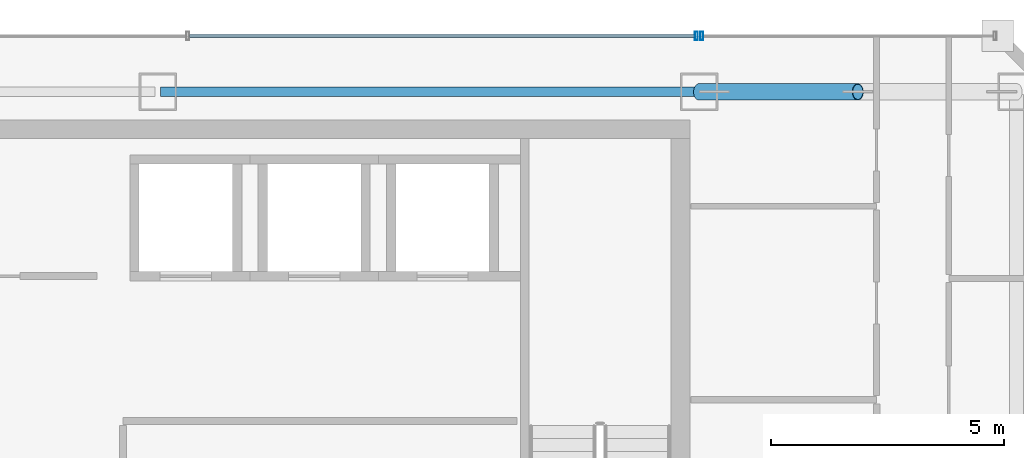
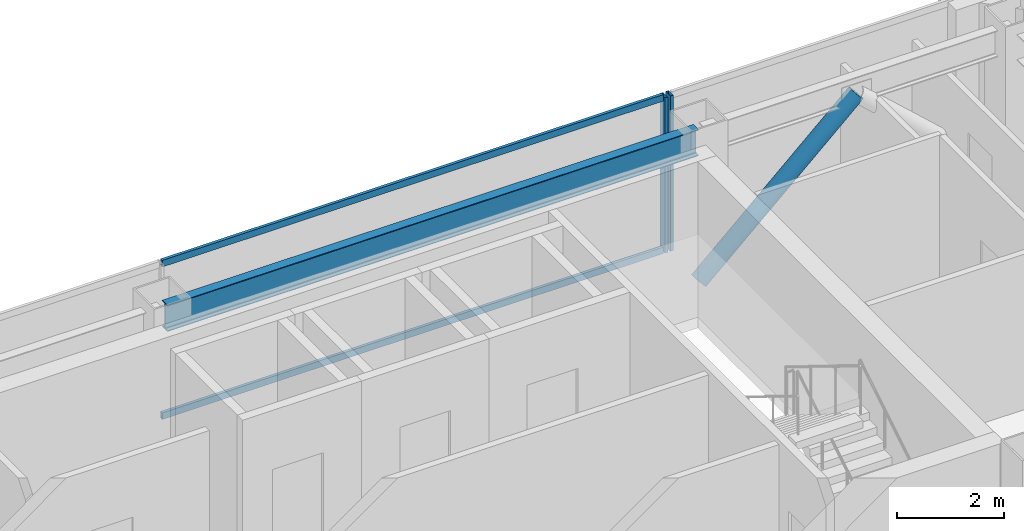
# One storey, part 22 of 32: 5 members, 1 beam, 2 elements without a shape of their own.
"""IFC4 building model written with IfcOpenShell, lengths in metres."""

import ifcopenshell
import ifcopenshell.guid

model = None  # the IFC model being written
_history = None  # IfcOwnerHistory: only IFC2X3 demands one
_inside = {}  # id of a spatial element -> (the spatial element, [elements in it])
_under = {}  # id of a project, library or spatial element -> (it, [spatial elements below it])
_declared = {}  # id of a project -> (the project, [libraries it declares])
_typed = {}  # id of a type object -> (the type object, [elements of that type])
_made_of = {}  # id of a material, layer set ... -> (it, [elements and type objects made of it])


def new_model(schema):
    """Start an empty IFC model of exactly this schema.

    Asked for "IFC4X3", IfcOpenShell would pick the latest addendum, in which some entities
    have other attributes; the version numbers below select the first issue.
    IFC2X3 requires an IfcOwnerHistory on every rooted entity: one is made here for all.
    """
    global model, _history
    if schema == "IFC4X3":
        model = ifcopenshell.file(schema_version=(4, 3, 0, 0))
    else:
        model = ifcopenshell.file(schema=schema)
    _inside.clear()
    _under.clear()
    _declared.clear()
    _typed.clear()
    _made_of.clear()
    _history = None
    if model.schema == "IFC2X3":
        org = make("IfcOrganization", Name="unknown")
        user = make(
            "IfcPersonAndOrganization",
            ThePerson=make("IfcPerson", FamilyName="unknown"),
            TheOrganization=org,
        )
        app = make(
            "IfcApplication",
            ApplicationDeveloper=org,
            Version="unknown",
            ApplicationFullName="unknown",
            ApplicationIdentifier="unknown",
        )
        _history = make(
            "IfcOwnerHistory",
            OwningUser=user,
            OwningApplication=app,
            ChangeAction="ADDED",
            CreationDate=0,
        )
    return model


def make(cls, **values):
    """One entity of the class cls with the attributes given. An attribute that is None is left unset."""
    return model.create_entity(
        cls, **{name: value for name, value in values.items() if value is not None}
    )


def rooted(cls, **values):
    """An entity with a GlobalId (a new one), such as an element, a storey or a relation."""
    return make(cls, GlobalId=ifcopenshell.guid.new(), OwnerHistory=_history, **values)


def si_unit(unit_type, name, prefix=None):
    """IfcSIUnit, for example si_unit("LENGTHUNIT", "METRE", prefix="MILLI")."""
    return make("IfcSIUnit", UnitType=unit_type, Prefix=prefix, Name=name)


def assignment(units):
    """IfcUnitAssignment: the units of a project."""
    return None if units is None else make("IfcUnitAssignment", Units=units)


def point(xyz):
    """IfcCartesianPoint."""
    return None if xyz is None else make("IfcCartesianPoint", Coordinates=xyz)


def direction(xyz):
    """IfcDirection."""
    return None if xyz is None else make("IfcDirection", DirectionRatios=xyz)


def frame(location, z_axis=None, x_axis=None):
    """IfcAxis2Placement3D, a coordinate frame: its origin and axes. An axis left out is left unset."""
    return make(
        "IfcAxis2Placement3D",
        Location=point(location),
        Axis=direction(z_axis),
        RefDirection=direction(x_axis),
    )


def frame_2d(location, x_axis=None):
    """IfcAxis2Placement2D, a coordinate frame in the plane: its origin and x axis."""
    return make(
        "IfcAxis2Placement2D", Location=point(location), RefDirection=direction(x_axis)
    )


def origin():
    """The frame at (0, 0, 0) with its axes left unset."""
    return frame((0.0, 0.0, 0.0))


def origin_2d():
    """The frame at (0, 0) in the plane with its x axis left unset."""
    return frame_2d((0.0, 0.0))


def place(relative_to, where):
    """IfcLocalPlacement: puts the frame where relative to a parent placement (None: the world)."""
    return make(
        "IfcLocalPlacement", PlacementRelTo=relative_to, RelativePlacement=where
    )


def context(
    kind, dimensions, precision=None, world=None, true_north=None, identifier=None
):
    """IfcGeometricRepresentationContext, for example the 3D "Model" context."""
    return make(
        "IfcGeometricRepresentationContext",
        ContextIdentifier=identifier,
        ContextType=kind,
        CoordinateSpaceDimension=dimensions,
        Precision=precision,
        WorldCoordinateSystem=world,
        TrueNorth=true_north,
    )


def subcontext(parent, identifier, kind, view, scale=None):
    """IfcGeometricRepresentationSubContext, for example "Body" below "Model"."""
    return make(
        "IfcGeometricRepresentationSubContext",
        ContextIdentifier=identifier,
        ContextType=kind,
        ParentContext=parent,
        TargetScale=scale,
        TargetView=view,
    )


def project(units=None, contexts=None):
    """IfcProject with its units and contexts."""
    return rooted(
        "IfcProject",
        Name="project",
        RepresentationContexts=contexts,
        UnitsInContext=assignment(units),
    )


def spatial(cls, under=None, at=None, **own):
    """A site, building, storey or space (cls), placed at a placement, below another one or the project."""
    s = rooted(cls, ObjectPlacement=at, **own)
    if under is not None:
        _under.setdefault(under.id(), (under, []))[1].append(s)
    return s


def profile(cls, at=None, kind="AREA", **sizes):
    """A parametric profile (cls). Its sizes go by their IFC names, for example OverallWidth=200.0."""
    return make(cls, ProfileType=kind, Position=at, **sizes)


def hollow_rectangle(**sizes):
    """IfcRectangleHollowProfileDef."""
    return profile("IfcRectangleHollowProfileDef", **sizes)


def hollow_circle(**sizes):
    """IfcCircleHollowProfileDef."""
    return profile("IfcCircleHollowProfileDef", **sizes)


def i_section(**sizes):
    """IfcIShapeProfileDef."""
    return profile("IfcIShapeProfileDef", **sizes)


def extrude(swept, where, along, depth):
    """IfcExtrudedAreaSolid: the profile swept, set in the frame where, extruded along a direction by depth."""
    return make(
        "IfcExtrudedAreaSolid",
        SweptArea=swept,
        Position=where,
        ExtrudedDirection=direction(along),
        Depth=depth,
    )


def shape(context_of_items, identifier, shape_type, items):
    """IfcShapeRepresentation: the items that make up one representation, for example the "Body"."""
    return make(
        "IfcShapeRepresentation",
        ContextOfItems=context_of_items,
        RepresentationIdentifier=identifier,
        RepresentationType=shape_type,
        Items=items,
    )


def material(Name=None, Category=None):
    """IfcMaterial."""
    return make("IfcMaterial", Name=Name, Category=Category)


def material_profile(
    of_material, cross_section, Name=None, Category=None, Priority=None
):
    """IfcMaterialProfile: a cross section and its material."""
    return make(
        "IfcMaterialProfile",
        Name=Name,
        Material=of_material,
        Profile=cross_section,
        Priority=Priority,
        Category=Category,
    )


def profile_set(profiles, Name=None, composite=None):
    """IfcMaterialProfileSet."""
    return make(
        "IfcMaterialProfileSet",
        Name=Name,
        MaterialProfiles=profiles,
        CompositeProfile=composite,
    )


def made_of(thing, what):
    """Note that an element or type object is made of a material, layer set ...; save() writes the relation."""
    if what is not None:
        _made_of.setdefault(what.id(), (what, []))[1].append(thing)
    return thing


def type_object(cls, material=None, **own):
    """A type object (cls), such as IfcWallType, which elements share."""
    return made_of(rooted(cls, **own), material)


def element(
    cls,
    number,
    at=None,
    inside=None,
    cuts=None,
    type_object=None,
    material=None,
    context=None,
    identifier="Body",
    shape_type=None,
    held_by="IfcProductDefinitionShape",
    body=None,
    shapes=None,
    **own,
):
    """One element of the class cls, such as IfcWall. Its Tag is "e" and its number.

    at: its placement. inside: the storey or other place that contains it. cuts: it is an
    opening in that element (IfcRelVoidsElement). A single representation is given by context,
    identifier, shape_type and body (its items); several are given by shapes. held_by: the class
    of the entity that holds the representations. save() writes the other relations.
    """
    e = rooted(cls, Tag="e%d" % number, ObjectPlacement=at, **own)
    if body is not None:
        shapes = [shape(context, identifier, shape_type, body)]
    if shapes is not None:
        e.Representation = make(held_by, Representations=shapes)
    if inside is not None:
        _inside.setdefault(inside.id(), (inside, []))[1].append(e)
    if cuts is not None:
        rooted(
            "IfcRelVoidsElement", RelatingBuildingElement=cuts, RelatedOpeningElement=e
        )
    if type_object is not None:
        _typed.setdefault(type_object.id(), (type_object, []))[1].append(e)
    return made_of(e, material)


def aggregate(whole, parts):
    """IfcRelAggregates: a whole, such as a stair, and the parts it consists of."""
    return rooted("IfcRelAggregates", RelatingObject=whole, RelatedObjects=parts)


def save(model, path):
    """Write the relations noted so far, then the file.

    IfcRelAggregates (storeys below a building ...), IfcRelContainedInSpatialStructure (elements
    in a storey), IfcRelDefinesByType, IfcRelAssociatesMaterial and IfcRelDeclares: one each for
    every whole, place, type object, material and project.
    """
    for whole, parts in _under.values():
        aggregate(whole, parts)
    for where, things in _inside.values():
        rooted(
            "IfcRelContainedInSpatialStructure",
            RelatedElements=things,
            RelatingStructure=where,
        )
    for kind, things in _typed.values():
        rooted("IfcRelDefinesByType", RelatedObjects=things, RelatingType=kind)
    for what, things in _made_of.values():
        rooted("IfcRelAssociatesMaterial", RelatedObjects=things, RelatingMaterial=what)
    for by, libraries in _declared.values():
        rooted("IfcRelDeclares", RelatingContext=by, RelatedDefinitions=libraries)
    model.write(path)


model = new_model("IFC4")

# Units and contexts
model_context = context("Model", 3, precision=1e-05, world=origin(), true_north=direction((0.0, 1.0)))
body_context = subcontext(model_context, "Body", "Model", "MODEL_VIEW")
ifc_project = project(units=[si_unit("LENGTHUNIT", "METRE"), si_unit("AREAUNIT", "SQUARE_METRE"), si_unit("VOLUMEUNIT", "CUBIC_METRE"), si_unit("PLANEANGLEUNIT", "RADIAN"), si_unit("MASSUNIT", "GRAM", prefix="KILO")], contexts=[model_context])

# Site, building, storey
site_placement = place(None, origin())
site = spatial("IfcSite", under=ifc_project, at=site_placement, CompositionType="ELEMENT")
building_placement = place(site_placement, origin())
building = spatial("IfcBuilding", under=site, at=building_placement, Name="Saevonmaru Cultural Tower", CompositionType="ELEMENT")
storey_placement = place(building_placement, frame((0.0, 0.0, 245.800048828125)))
storey = spatial("IfcBuildingStorey", under=building, at=storey_placement, Name="L57", CompositionType="ELEMENT", Elevation=245.800048828125)

# Beam
ifc_material_1 = material(Name="Steel SM355", Category="steel")
ifc_material_profile_1 = material_profile(ifc_material_1, i_section(OverallWidth=0.199951171875, OverallDepth=0.60009765625, WebThickness=0.010986328125, FlangeThickness=0.01708984375, FilletRadius=0.02197265625, at=origin_2d()), Name="H-600x200x11x17")
ifc_profile_set_1 = profile_set([ifc_material_profile_1], Name="Steel SM355")
beam_type = type_object("IfcBeamType", Name="BM-SP-H600", PredefinedType="SPANDREL", material=ifc_profile_set_1)
beam_placement = place(storey_placement, frame((34.860107421875, 54.800048828125, 3.25), z_axis=(1.0, 0.0, 0.0), x_axis=(0.0, 1.0, 0.0)))
element("IfcBeam", 1, at=beam_placement, inside=storey, type_object=beam_type, Name="L57 North Spine Girder 4", PredefinedType="SPANDREL", context=body_context, shape_type="SweptSolid", body=[
    extrude(i_section(OverallWidth=0.199951171875, OverallDepth=0.60009765625, WebThickness=0.010986328125, FlangeThickness=0.01708984375, FilletRadius=0.02197265625, at=origin_2d()), origin(), (0.0, 0.0, 1.0), 11.47998046875),
])

# Member
ifc_material_profile_2 = material_profile(ifc_material_1, hollow_circle(Radius=0.177734375, WallThickness=0.01611328125, at=origin_2d()), Name="CHS-355.6x16")
ifc_profile_set_2 = profile_set([ifc_material_profile_2], Name="Steel SM355")
member_type_1 = type_object("IfcMemberType", Name="MB-PBR-CHS356", PredefinedType="BRACE", material=ifc_profile_set_2)
member_1_placement = place(storey_placement, frame((46.39990234375, 54.800048828125, 0.02001953125), z_axis=(0.738986146064, 0.0, 0.673720621568), x_axis=(0.0, 1.0, 0.0)))
element("IfcMember", 2, at=member_1_placement, inside=storey, type_object=member_type_1, Name="L57 Perimeter Braced-Tube Diagonal EN1", PredefinedType="BRACE", context=body_context, shape_type="SweptSolid", body=[
    extrude(hollow_circle(Radius=0.177734375, WallThickness=0.01611328125, at=origin_2d()), origin(), (0.0, 0.0, 1.0), 4.60107421875),
])

# Curtain wall, member
ifc_material_2 = material(Name="Satin Bronze Anodised Aluminium", Category="aluminium")
curtain_wall_type = type_object("IfcCurtainWallType", Name="CW-TYP-B", PredefinedType="NOTDEFINED", material=ifc_material_2)
curtain_wall_1_placement = place(storey_placement, origin())
curtain_wall_1 = element("IfcCurtainWall", 3, at=curtain_wall_1_placement, inside=storey, type_object=curtain_wall_type, Name="L57 East Braced Bay Spandrel Curtain Wall E10A", PredefinedType="NOTDEFINED")
ifc_material_profile_3 = material_profile(ifc_material_2, hollow_rectangle(XDim=0.06494140625, YDim=0.179931640625, WallThickness=0.00390625, at=origin_2d()), Name="ALU-MULL-180x65x4")
ifc_profile_set_3 = profile_set([ifc_material_profile_3], Name="Satin Bronze Anodised Aluminium")
member_type_2 = type_object("IfcMemberType", Name="ML-CW-180x65", PredefinedType="MULLION", material=ifc_profile_set_3)
member_2_placement = place(storey_placement, frame((46.4599609375, 56.0, 0.0), z_axis=(0.0, 0.0, 1.0), x_axis=(-1.0, 0.0, 0.0)))
member_2 = element("IfcMember", 4, at=member_2_placement, type_object=member_type_2, Name="CW-TW-L57-E10A mullion 2", PredefinedType="MULLION", context=body_context, shape_type="SweptSolid", body=[
    extrude(hollow_rectangle(XDim=0.06494140625, YDim=0.179931640625, WallThickness=0.00390625, at=origin_2d()), origin(), (0.0, 0.0, 1.0), 3.550048828125),
])
aggregate(curtain_wall_1, [member_2])

# Curtain wall, members
curtain_wall_2_placement = place(storey_placement, origin())
curtain_wall_2 = element("IfcCurtainWall", 5, at=curtain_wall_2_placement, inside=storey, type_object=curtain_wall_type, Name="L57 North Spine Unitised Curtain Wall E10B", PredefinedType="NOTDEFINED")
member_3_placement = place(storey_placement, frame((46.340087890625, 56.0, 0.0), z_axis=(0.0, 0.0, 1.0), x_axis=(-1.0, 0.0, 0.0)))
member_3 = element("IfcMember", 6, at=member_3_placement, type_object=member_type_2, Name="CW-TW-L57-E10B mullion 1", PredefinedType="MULLION", context=body_context, shape_type="SweptSolid", body=[
    extrude(hollow_rectangle(XDim=0.06494140625, YDim=0.179931640625, WallThickness=0.00390625, at=origin_2d()), origin(), (0.0, 0.0, 1.0), 3.550048828125),
])
ifc_material_profile_4 = material_profile(ifc_material_2, hollow_rectangle(XDim=0.06494140625, YDim=0.14990234375, WallThickness=0.00390625, at=origin_2d()), Name="ALU-TRAN-150x65x4")
ifc_profile_set_4 = profile_set([ifc_material_profile_4], Name="Satin Bronze Anodised Aluminium")
member_type_3 = type_object("IfcMemberType", Name="TR-CW-150x65", PredefinedType="USERDEFINED", material=ifc_profile_set_4)
member_4_placement = place(storey_placement, frame((46.3076171875, 56.0, 0.032470703125), z_axis=(-1.0, 0.0, 0.0), x_axis=(0.0, -1.0, 0.0)))
member_4 = element("IfcMember", 7, at=member_4_placement, type_object=member_type_3, Name="CW-TW-L57-E10B transom 1.1", ObjectType="TRANSOM", PredefinedType="USERDEFINED", context=body_context, shape_type="SweptSolid", body=[
    extrude(hollow_rectangle(XDim=0.06494140625, YDim=0.14990234375, WallThickness=0.00390625, at=origin_2d()), origin(), (0.0, 0.0, 1.0), 10.828369140625),
])
member_5_placement = place(storey_placement, frame((46.3076171875, 56.0, 3.517333984375), z_axis=(-1.0, 0.0, 0.0), x_axis=(0.0, -1.0, 0.0)))
member_5 = element("IfcMember", 8, at=member_5_placement, type_object=member_type_3, Name="CW-TW-L57-E10B transom 1.2", ObjectType="TRANSOM", PredefinedType="USERDEFINED", context=body_context, shape_type="SweptSolid", body=[
    extrude(hollow_rectangle(XDim=0.06494140625, YDim=0.14990234375, WallThickness=0.00390625, at=origin_2d()), origin(), (0.0, 0.0, 1.0), 10.828369140625),
])
aggregate(curtain_wall_2, [member_3, member_4, member_5])

save(model, "model.ifc")
